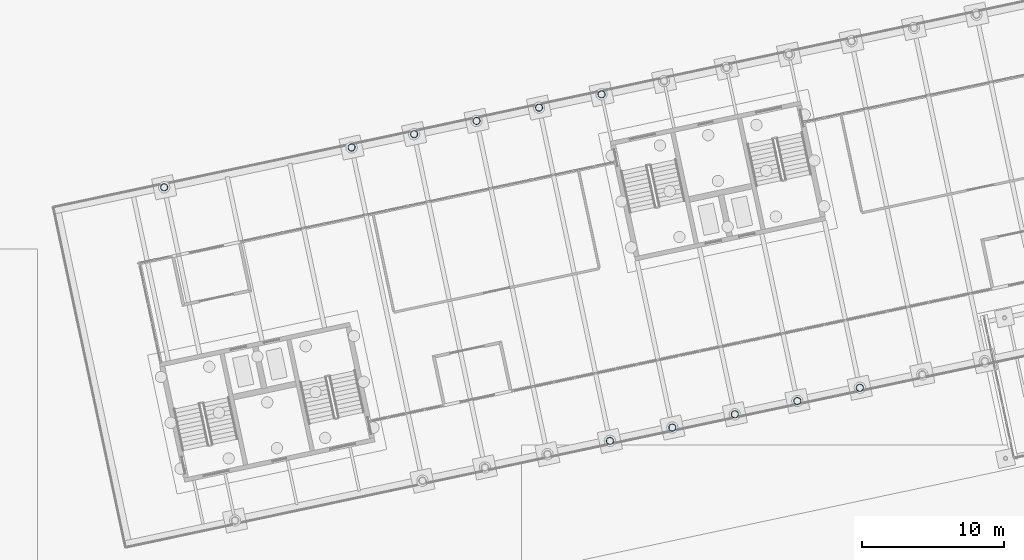
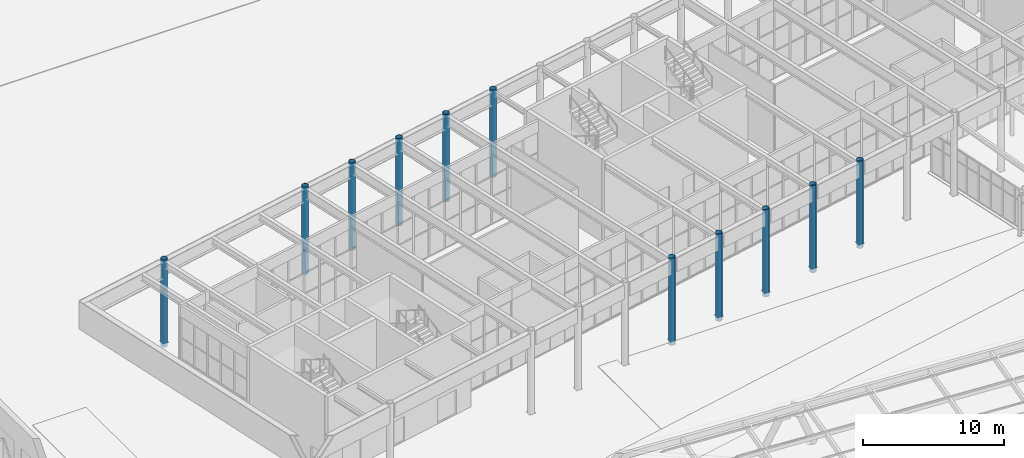
# One storey, part 14 of 239: 11 columns.
"""IFC4 building model written with IfcOpenShell, lengths in metres."""

from ifc_helpers import new_model, si_unit, direction, frame, origin, origin_2d, place, context, subcontext, project, spatial, hollow_circle, extrude, material, material_profile, profile_set, type_object, element, save


model = new_model("IFC4")

# Units and contexts
model_context = context("Model", 3, precision=1e-05, world=origin(), true_north=direction((0.0, 1.0)))
body_context = subcontext(model_context, "Body", "Model", "MODEL_VIEW")
ifc_project = project(units=[si_unit("LENGTHUNIT", "METRE"), si_unit("AREAUNIT", "SQUARE_METRE"), si_unit("VOLUMEUNIT", "CUBIC_METRE"), si_unit("PLANEANGLEUNIT", "RADIAN"), si_unit("MASSUNIT", "GRAM", prefix="KILO")], contexts=[model_context])

# Site, building, storey
site_placement = place(None, origin())
site = spatial("IfcSite", under=ifc_project, at=site_placement, CompositionType="ELEMENT")
building_placement = place(site_placement, origin())
building = spatial("IfcBuilding", under=site, at=building_placement, Name="Okhra Congress Centre", CompositionType="ELEMENT")
storey_placement = place(building_placement, origin())
storey = spatial("IfcBuildingStorey", under=building, at=storey_placement, Name="L00", CompositionType="ELEMENT", Elevation=0.0)

# Columns
ifc_material = material(Name="Steel S355J2H", Category="steel")
ifc_material_profile = material_profile(ifc_material, hollow_circle(Radius=0.25390625, WallThickness=0.01611328125, at=origin_2d()), Name="CHS 508x16")
ifc_profile_set = profile_set([ifc_material_profile], Name="Steel S355J2H")
column_type = type_object("IfcColumnType", Name="Round steel column CHS 508x16", PredefinedType="COLUMN", material=ifc_profile_set)
for number, where, z_axis, x_axis, name in (
    (1, (64.824462890625, 52.156005859375, -0.39990234375), (0.0, 0.0, 1.0), (0.978147600734, 0.207911690818, 0.0), "Round column 1N"),
    (2, (78.029541015625, 54.962890625, -0.39990234375), (0.0, 0.0, 1.0), (0.978147600734, 0.207911690818, 0.0), "Round column 2N"),
    (3, (82.43115234375, 55.8984375, -0.39990234375), (0.0, 0.0, 1.0), (0.978147600734, 0.207911690818, 0.0), "Round column 3N"),
    (4, (86.832763671875, 56.833984375, -0.39990234375), (0.0, 0.0, 1.0), (0.978147600734, 0.207911690818, 0.0), "Round column 4N"),
    (5, (96.224365234375, 34.2939453125, -0.39990234375), (0.0, 0.0, 1.0), (0.978147600734, 0.207911690818, 0.0), "Round column 5S"),
    (6, (91.234375, 57.76953125, -0.39990234375), (0.0, 0.0, 1.0), (0.978147600734, 0.207911690818, 0.0), "Round column 5N"),
    (7, (100.6259765625, 35.229736328125, -0.39990234375), (0.0, 0.0, 1.0), (0.978147600734, 0.207911690818, 0.0), "Round column 6S"),
    (8, (95.635986328125, 58.705322265625, -0.39990234375), (0.0, 0.0, 1.0), (0.978147600734, 0.207911690818, 0.0), "Round column 6N"),
    (9, (105.027587890625, 36.165283203125, -0.39990234375), (0.0, 0.0, 1.0), (0.978147600734, 0.207911690818, 0.0), "Round column 7S"),
    (10, (109.42919921875, 37.100830078125, -0.39990234375), (0.0, 0.0, 1.0), (0.978147600734, 0.207911690818, 0.0), "Round column 8S"),
    (11, (113.8310546875, 38.036376953125, -0.39990234375), (0.0, 0.0, 1.0), (0.978147600734, 0.207911690818, 0.0), "Round column 9S"),
):
    element("IfcColumn", number, at=place(storey_placement, frame(where, z_axis=z_axis, x_axis=x_axis)), inside=storey, type_object=column_type, Name=name, PredefinedType="COLUMN", context=body_context, shape_type="SweptSolid", body=[
        extrude(hollow_circle(Radius=0.25390625, WallThickness=0.01611328125, at=origin_2d()), origin(), (0.0, 0.0, 1.0), 7.599853515625),
    ])

save(model, "model.ifc")
